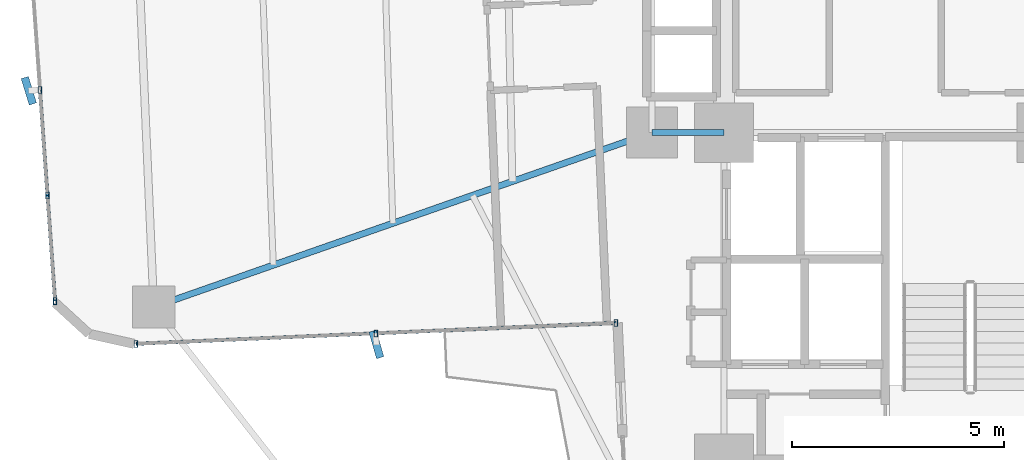
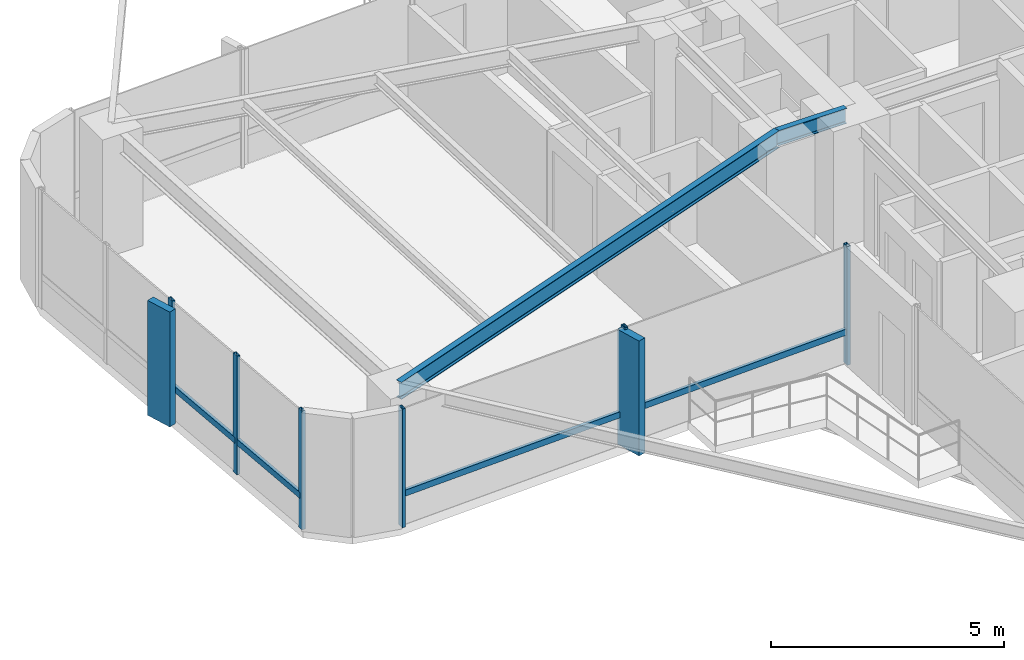
# One storey, part 8 of 26: 12 members, 2 beams, 2 elements without a shape of their own.
"""IFC4 building model written with IfcOpenShell, lengths in metres."""

import ifcopenshell
import ifcopenshell.guid

model = None  # the IFC model being written
_history = None  # IfcOwnerHistory: only IFC2X3 demands one
_inside = {}  # id of a spatial element -> (the spatial element, [elements in it])
_under = {}  # id of a project, library or spatial element -> (it, [spatial elements below it])
_declared = {}  # id of a project -> (the project, [libraries it declares])
_typed = {}  # id of a type object -> (the type object, [elements of that type])
_made_of = {}  # id of a material, layer set ... -> (it, [elements and type objects made of it])


def new_model(schema):
    """Start an empty IFC model of exactly this schema.

    Asked for "IFC4X3", IfcOpenShell would pick the latest addendum, in which some entities
    have other attributes; the version numbers below select the first issue.
    IFC2X3 requires an IfcOwnerHistory on every rooted entity: one is made here for all.
    """
    global model, _history
    if schema == "IFC4X3":
        model = ifcopenshell.file(schema_version=(4, 3, 0, 0))
    else:
        model = ifcopenshell.file(schema=schema)
    _inside.clear()
    _under.clear()
    _declared.clear()
    _typed.clear()
    _made_of.clear()
    _history = None
    if model.schema == "IFC2X3":
        org = make("IfcOrganization", Name="unknown")
        user = make(
            "IfcPersonAndOrganization",
            ThePerson=make("IfcPerson", FamilyName="unknown"),
            TheOrganization=org,
        )
        app = make(
            "IfcApplication",
            ApplicationDeveloper=org,
            Version="unknown",
            ApplicationFullName="unknown",
            ApplicationIdentifier="unknown",
        )
        _history = make(
            "IfcOwnerHistory",
            OwningUser=user,
            OwningApplication=app,
            ChangeAction="ADDED",
            CreationDate=0,
        )
    return model


def make(cls, **values):
    """One entity of the class cls with the attributes given. An attribute that is None is left unset."""
    return model.create_entity(
        cls, **{name: value for name, value in values.items() if value is not None}
    )


def rooted(cls, **values):
    """An entity with a GlobalId (a new one), such as an element, a storey or a relation."""
    return make(cls, GlobalId=ifcopenshell.guid.new(), OwnerHistory=_history, **values)


def si_unit(unit_type, name, prefix=None):
    """IfcSIUnit, for example si_unit("LENGTHUNIT", "METRE", prefix="MILLI")."""
    return make("IfcSIUnit", UnitType=unit_type, Prefix=prefix, Name=name)


def assignment(units):
    """IfcUnitAssignment: the units of a project."""
    return None if units is None else make("IfcUnitAssignment", Units=units)


def point(xyz):
    """IfcCartesianPoint."""
    return None if xyz is None else make("IfcCartesianPoint", Coordinates=xyz)


def direction(xyz):
    """IfcDirection."""
    return None if xyz is None else make("IfcDirection", DirectionRatios=xyz)


def frame(location, z_axis=None, x_axis=None):
    """IfcAxis2Placement3D, a coordinate frame: its origin and axes. An axis left out is left unset."""
    return make(
        "IfcAxis2Placement3D",
        Location=point(location),
        Axis=direction(z_axis),
        RefDirection=direction(x_axis),
    )


def frame_2d(location, x_axis=None):
    """IfcAxis2Placement2D, a coordinate frame in the plane: its origin and x axis."""
    return make(
        "IfcAxis2Placement2D", Location=point(location), RefDirection=direction(x_axis)
    )


def origin():
    """The frame at (0, 0, 0) with its axes left unset."""
    return frame((0.0, 0.0, 0.0))


def origin_2d():
    """The frame at (0, 0) in the plane with its x axis left unset."""
    return frame_2d((0.0, 0.0))


def place(relative_to, where):
    """IfcLocalPlacement: puts the frame where relative to a parent placement (None: the world)."""
    return make(
        "IfcLocalPlacement", PlacementRelTo=relative_to, RelativePlacement=where
    )


def context(
    kind, dimensions, precision=None, world=None, true_north=None, identifier=None
):
    """IfcGeometricRepresentationContext, for example the 3D "Model" context."""
    return make(
        "IfcGeometricRepresentationContext",
        ContextIdentifier=identifier,
        ContextType=kind,
        CoordinateSpaceDimension=dimensions,
        Precision=precision,
        WorldCoordinateSystem=world,
        TrueNorth=true_north,
    )


def subcontext(parent, identifier, kind, view, scale=None):
    """IfcGeometricRepresentationSubContext, for example "Body" below "Model"."""
    return make(
        "IfcGeometricRepresentationSubContext",
        ContextIdentifier=identifier,
        ContextType=kind,
        ParentContext=parent,
        TargetScale=scale,
        TargetView=view,
    )


def project(units=None, contexts=None):
    """IfcProject with its units and contexts."""
    return rooted(
        "IfcProject",
        Name="project",
        RepresentationContexts=contexts,
        UnitsInContext=assignment(units),
    )


def spatial(cls, under=None, at=None, **own):
    """A site, building, storey or space (cls), placed at a placement, below another one or the project."""
    s = rooted(cls, ObjectPlacement=at, **own)
    if under is not None:
        _under.setdefault(under.id(), (under, []))[1].append(s)
    return s


def profile(cls, at=None, kind="AREA", **sizes):
    """A parametric profile (cls). Its sizes go by their IFC names, for example OverallWidth=200.0."""
    return make(cls, ProfileType=kind, Position=at, **sizes)


def rectangle(**sizes):
    """IfcRectangleProfileDef."""
    return profile("IfcRectangleProfileDef", **sizes)


def hollow_rectangle(**sizes):
    """IfcRectangleHollowProfileDef."""
    return profile("IfcRectangleHollowProfileDef", **sizes)


def i_section(**sizes):
    """IfcIShapeProfileDef."""
    return profile("IfcIShapeProfileDef", **sizes)


def extrude(swept, where, along, depth):
    """IfcExtrudedAreaSolid: the profile swept, set in the frame where, extruded along a direction by depth."""
    return make(
        "IfcExtrudedAreaSolid",
        SweptArea=swept,
        Position=where,
        ExtrudedDirection=direction(along),
        Depth=depth,
    )


def shape(context_of_items, identifier, shape_type, items):
    """IfcShapeRepresentation: the items that make up one representation, for example the "Body"."""
    return make(
        "IfcShapeRepresentation",
        ContextOfItems=context_of_items,
        RepresentationIdentifier=identifier,
        RepresentationType=shape_type,
        Items=items,
    )


def source(mapping_origin, context_of_items, identifier, shape_type, items):
    """IfcRepresentationMap: a shape defined once, which mapped items show again and again."""
    return make(
        "IfcRepresentationMap",
        MappingOrigin=mapping_origin,
        MappedRepresentation=shape(context_of_items, identifier, shape_type, items),
    )


def transform(
    local_origin,
    x_axis=None,
    y_axis=None,
    z_axis=None,
    scale=None,
    scale2=None,
    scale3=None,
    uniform=True,
):
    """IfcCartesianTransformationOperator3D, or its non-uniform kind. x_axis, y_axis, z_axis: its Axis1, 2, 3."""
    if uniform:
        return make(
            "IfcCartesianTransformationOperator3D",
            Axis1=direction(x_axis),
            Axis2=direction(y_axis),
            LocalOrigin=point(local_origin),
            Scale=scale,
            Axis3=direction(z_axis),
        )
    return make(
        "IfcCartesianTransformationOperator3DnonUniform",
        Axis1=direction(x_axis),
        Axis2=direction(y_axis),
        LocalOrigin=point(local_origin),
        Scale=scale,
        Axis3=direction(z_axis),
        Scale2=scale2,
        Scale3=scale3,
    )


def mapped(mapping_source, mapping_target):
    """IfcMappedItem: shows the shape of a source again, moved by a transform."""
    return make(
        "IfcMappedItem", MappingSource=mapping_source, MappingTarget=mapping_target
    )


def material(Name=None, Category=None):
    """IfcMaterial."""
    return make("IfcMaterial", Name=Name, Category=Category)


def material_profile(
    of_material, cross_section, Name=None, Category=None, Priority=None
):
    """IfcMaterialProfile: a cross section and its material."""
    return make(
        "IfcMaterialProfile",
        Name=Name,
        Material=of_material,
        Profile=cross_section,
        Priority=Priority,
        Category=Category,
    )


def profile_set(profiles, Name=None, composite=None):
    """IfcMaterialProfileSet."""
    return make(
        "IfcMaterialProfileSet",
        Name=Name,
        MaterialProfiles=profiles,
        CompositeProfile=composite,
    )


def made_of(thing, what):
    """Note that an element or type object is made of a material, layer set ...; save() writes the relation."""
    if what is not None:
        _made_of.setdefault(what.id(), (what, []))[1].append(thing)
    return thing


def type_object(cls, material=None, **own):
    """A type object (cls), such as IfcWallType, which elements share."""
    return made_of(rooted(cls, **own), material)


def element(
    cls,
    number,
    at=None,
    inside=None,
    cuts=None,
    type_object=None,
    material=None,
    context=None,
    identifier="Body",
    shape_type=None,
    held_by="IfcProductDefinitionShape",
    body=None,
    shapes=None,
    **own,
):
    """One element of the class cls, such as IfcWall. Its Tag is "e" and its number.

    at: its placement. inside: the storey or other place that contains it. cuts: it is an
    opening in that element (IfcRelVoidsElement). A single representation is given by context,
    identifier, shape_type and body (its items); several are given by shapes. held_by: the class
    of the entity that holds the representations. save() writes the other relations.
    """
    e = rooted(cls, Tag="e%d" % number, ObjectPlacement=at, **own)
    if body is not None:
        shapes = [shape(context, identifier, shape_type, body)]
    if shapes is not None:
        e.Representation = make(held_by, Representations=shapes)
    if inside is not None:
        _inside.setdefault(inside.id(), (inside, []))[1].append(e)
    if cuts is not None:
        rooted(
            "IfcRelVoidsElement", RelatingBuildingElement=cuts, RelatedOpeningElement=e
        )
    if type_object is not None:
        _typed.setdefault(type_object.id(), (type_object, []))[1].append(e)
    return made_of(e, material)


def aggregate(whole, parts):
    """IfcRelAggregates: a whole, such as a stair, and the parts it consists of."""
    return rooted("IfcRelAggregates", RelatingObject=whole, RelatedObjects=parts)


def save(model, path):
    """Write the relations noted so far, then the file.

    IfcRelAggregates (storeys below a building ...), IfcRelContainedInSpatialStructure (elements
    in a storey), IfcRelDefinesByType, IfcRelAssociatesMaterial and IfcRelDeclares: one each for
    every whole, place, type object, material and project.
    """
    for whole, parts in _under.values():
        aggregate(whole, parts)
    for where, things in _inside.values():
        rooted(
            "IfcRelContainedInSpatialStructure",
            RelatedElements=things,
            RelatingStructure=where,
        )
    for kind, things in _typed.values():
        rooted("IfcRelDefinesByType", RelatedObjects=things, RelatingType=kind)
    for what, things in _made_of.values():
        rooted("IfcRelAssociatesMaterial", RelatedObjects=things, RelatingMaterial=what)
    for by, libraries in _declared.values():
        rooted("IfcRelDeclares", RelatingContext=by, RelatedDefinitions=libraries)
    model.write(path)


model = new_model("IFC4")

# Units and contexts
model_context = context("Model", 3, precision=1e-05, world=origin(), true_north=direction((0.0, 1.0)))
body_context = subcontext(model_context, "Body", "Model", "MODEL_VIEW")
ifc_project = project(units=[si_unit("LENGTHUNIT", "METRE"), si_unit("AREAUNIT", "SQUARE_METRE"), si_unit("VOLUMEUNIT", "CUBIC_METRE"), si_unit("PLANEANGLEUNIT", "RADIAN"), si_unit("MASSUNIT", "GRAM", prefix="KILO")], contexts=[model_context])

# Site, building, storey
site_placement = place(None, origin())
site = spatial("IfcSite", under=ifc_project, at=site_placement, CompositionType="ELEMENT")
building_placement = place(site_placement, origin())
building = spatial("IfcBuilding", under=site, at=building_placement, Name="Sahyath Konkavel Grand Hotel", CompositionType="ELEMENT")
storey_placement = place(building_placement, frame((0.0, 0.0, 93.550048828125)))
storey = spatial("IfcBuildingStorey", under=building, at=storey_placement, Name="L25", CompositionType="ELEMENT", Elevation=93.550048828125)

# Beams
ifc_material_1 = material(Name="Steel E350", Category="steel")
ifc_material_profile_1 = material_profile(ifc_material_1, i_section(OverallWidth=0.139892578125, OverallDepth=0.39990234375, WebThickness=0.0087890625, FlangeThickness=0.01611328125, FilletRadius=0.013916015625, at=origin_2d()), Name="ISMB 400")
ifc_profile_set_1 = profile_set([ifc_material_profile_1], Name="Steel E350")
beam_type_1 = type_object("IfcBeamType", Name="BM-ISMB400", PredefinedType="BEAM", material=ifc_profile_set_1)
shared_shape_1 = source(origin(), body_context, "Body", "SweptSolid", [
    extrude(i_section(OverallWidth=0.139892578125, OverallDepth=0.39990234375, WebThickness=0.0087890625, FlangeThickness=0.01611328125, FilletRadius=0.013916015625, at=origin_2d()), origin(), (0.0, 0.0, 1.0), 1.699951171875),
])
beam_1_placement = place(storey_placement, frame((-5.5, -2.39990234375, 2.909912109375), z_axis=(1.0, 0.0, 0.0), x_axis=(0.0, 1.0, 0.0)))
element("IfcBeam", 1, at=beam_1_placement, inside=storey, type_object=beam_type_1, Name="str:bm:L25:HB-SW", PredefinedType="BEAM", context=body_context, shape_type="MappedRepresentation", body=[
    mapped(shared_shape_1, transform((0.0, 0.0, 0.0), scale=1.0)),
])
ifc_material_profile_2 = material_profile(ifc_material_1, i_section(OverallWidth=0.14990234375, OverallDepth=0.449951171875, WebThickness=0.009521484375, FlangeThickness=0.017333984375, FilletRadius=0.014892578125, at=origin_2d()), Name="ISMB 450")
ifc_profile_set_2 = profile_set([ifc_material_profile_2], Name="Steel E350")
beam_type_2 = type_object("IfcBeamType", Name="BM-ISMB450", PredefinedType="BEAM", material=ifc_profile_set_2)
shared_shape_2 = source(origin(), body_context, "Body", "SweptSolid", [
    extrude(i_section(OverallWidth=0.14990234375, OverallDepth=0.449951171875, WebThickness=0.009521484375, FlangeThickness=0.017333984375, FilletRadius=0.014892578125, at=origin_2d()), origin(), (0.0, 0.0, 1.0), 12.430908203125),
])
beam_2_placement = place(storey_placement, frame((-5.5, -2.39990234375, 2.885009765625), z_axis=(-0.943819157235, -0.330462400941, 0.0), x_axis=(0.330462400941, -0.943819157235, 0.0)))
element("IfcBeam", 2, at=beam_2_placement, inside=storey, type_object=beam_type_2, Name="L25 Cruciform Radial Girder WB", PredefinedType="BEAM", context=body_context, shape_type="MappedRepresentation", body=[
    mapped(shared_shape_2, transform((0.0, 0.0, 0.0), scale=1.0)),
])

# Curtain wall, members
ifc_material_2 = material(Name="Anodised Bronze Aluminium & Low-E Glazing", Category="aluminium")
curtain_wall_type = type_object("IfcCurtainWallType", Name="CW-ZONE2", PredefinedType="NOTDEFINED", material=ifc_material_2)
curtain_wall_1_placement = place(storey_placement, origin())
curtain_wall_1 = element("IfcCurtainWall", 3, at=curtain_wall_1_placement, inside=storey, type_object=curtain_wall_type, Name="L25 Unitised Curtain Wall F20", PredefinedType="NOTDEFINED")
ifc_material_3 = material(Name="Anodised Bronze Aluminium", Category="aluminium")
ifc_material_profile_3 = material_profile(ifc_material_3, hollow_rectangle(XDim=0.080078125, YDim=0.159912109375, WallThickness=0.006103515625, at=origin_2d()), Name="RHS 160x80x6")
ifc_profile_set_3 = profile_set([ifc_material_profile_3], Name="Anodised Bronze Aluminium")
member_type_1 = type_object("IfcMemberType", Name="CW-MUL-160", PredefinedType="MULLION", material=ifc_profile_set_3)
shared_shape_3 = source(origin(), body_context, "Body", "SweptSolid", [
    extrude(hollow_rectangle(XDim=0.080078125, YDim=0.159912109375, WallThickness=0.006103515625, at=origin_2d()), origin(), (0.0, 0.0, 1.0), 3.10986328125),
])
member_1_placement = place(storey_placement, frame((-19.91748046875, -1.39501953125, 0.0), z_axis=(0.0, 0.0, 1.0), x_axis=(1.0, 0.0, 0.0)))
member_1 = element("IfcMember", 4, at=member_1_placement, type_object=member_type_1, Name="L25 Curtain Wall Mullion F20-2", PredefinedType="MULLION", context=body_context, shape_type="MappedRepresentation", body=[
    mapped(shared_shape_3, transform((0.0, 0.0, 0.0), scale=1.0)),
])
member_2_placement = place(storey_placement, frame((-19.739013671875, -3.882080078125, 0.0), z_axis=(0.0, 0.0, 1.0), x_axis=(1.0, 0.0, 0.0)))
member_2 = element("IfcMember", 5, at=member_2_placement, type_object=member_type_1, Name="L25 Curtain Wall Mullion F20-3", PredefinedType="MULLION", context=body_context, shape_type="MappedRepresentation", body=[
    mapped(shared_shape_3, transform((0.0, 0.0, 0.0), scale=1.0)),
])
member_3_placement = place(storey_placement, frame((-19.560546875, -6.369384765625, 0.0), z_axis=(0.0, 0.0, 1.0), x_axis=(1.0, 0.0, 0.0)))
member_3 = element("IfcMember", 6, at=member_3_placement, type_object=member_type_1, Name="L25 Curtain Wall Mullion F20-4", PredefinedType="MULLION", context=body_context, shape_type="MappedRepresentation", body=[
    mapped(shared_shape_3, transform((0.0, 0.0, 0.0), scale=1.0)),
])

curtain_wall_2_placement = place(storey_placement, origin())
curtain_wall_2 = element("IfcCurtainWall", 7, at=curtain_wall_2_placement, inside=storey, type_object=curtain_wall_type, Name="L25 Unitised Curtain Wall F23", PredefinedType="NOTDEFINED")
member_4_placement = place(storey_placement, frame((-17.655029296875, -7.377197265625, 0.0), z_axis=(0.0, 0.0, 1.0), x_axis=(1.0, 0.0, 0.0)))
member_4 = element("IfcMember", 8, at=member_4_placement, type_object=member_type_1, Name="L25 Curtain Wall Mullion F23-0", PredefinedType="MULLION", context=body_context, shape_type="MappedRepresentation", body=[
    mapped(shared_shape_3, transform((0.0, 0.0, 0.0), scale=1.0)),
])
member_5_placement = place(storey_placement, frame((-12.00048828125, -7.13037109375, 0.0), z_axis=(0.0, 0.0, 1.0), x_axis=(1.0, 0.0, 0.0)))
member_5 = element("IfcMember", 9, at=member_5_placement, type_object=member_type_1, Name="L25 Curtain Wall Mullion F23-1", PredefinedType="MULLION", context=body_context, shape_type="MappedRepresentation", body=[
    mapped(shared_shape_3, transform((0.0, 0.0, 0.0), scale=1.0)),
])
member_6_placement = place(storey_placement, frame((-6.345703125, -6.88330078125, 0.0), z_axis=(0.0, 0.0, 1.0), x_axis=(1.0, 0.0, 0.0)))
member_6 = element("IfcMember", 10, at=member_6_placement, type_object=member_type_1, Name="L25 Curtain Wall Mullion F23-2", PredefinedType="MULLION", context=body_context, shape_type="MappedRepresentation", body=[
    mapped(shared_shape_3, transform((0.0, 0.0, 0.0), scale=1.0)),
])

# Member
ifc_material_4 = material(Name="Warm Buff Sandstone Cladding on Concrete C50/60", Category="masonry")
ifc_material_profile_4 = material_profile(ifc_material_4, rectangle(XDim=0.179931640625, YDim=0.64990234375, at=origin_2d()), Name="FIN 180x650")
ifc_profile_set_4 = profile_set([ifc_material_profile_4], Name="Warm Buff Sandstone Cladding on Concrete C50/60")
member_type_2 = type_object("IfcMemberType", Name="FIN-SANDSTONE-650", PredefinedType="MULLION", material=ifc_profile_set_4)
shared_shape_4 = source(origin(), body_context, "Body", "SweptSolid", [
    extrude(rectangle(XDim=0.179931640625, YDim=0.64990234375, at=origin_2d()), origin(), (0.0, 0.0, 1.0), 3.010009765625),
])
member_7_placement = place(storey_placement, frame((-20.1767578125, -1.413818359375, 0.050048828125), z_axis=(0.0, 0.0, 1.0), x_axis=(0.955690317134, 0.294373942013, 0.0)))
member_7 = element("IfcMember", 11, at=member_7_placement, type_object=member_type_2, Name="L25 Sandstone Vertical Solar Fin FIN F20-2", PredefinedType="MULLION", context=body_context, shape_type="MappedRepresentation", body=[
    mapped(shared_shape_4, transform((0.0, 0.0, 0.0), scale=1.0)),
])

member_8_placement = place(storey_placement, frame((-11.989013671875, -7.39013671875, 0.050048828125), z_axis=(0.0, 0.0, 1.0), x_axis=(0.961069030524, 0.276308375854, 0.0)))
member_8 = element("IfcMember", 12, at=member_8_placement, type_object=member_type_2, Name="L25 Sandstone Vertical Solar Fin FIN F23-1", PredefinedType="MULLION", context=body_context, shape_type="MappedRepresentation", body=[
    mapped(shared_shape_4, transform((0.0, 0.0, 0.0), scale=1.0)),
])

ifc_material_profile_5 = material_profile(ifc_material_3, hollow_rectangle(XDim=0.080078125, YDim=0.159912109375, WallThickness=0.006103515625, at=origin_2d()), Name="RHS 160x80x6")
ifc_profile_set_5 = profile_set([ifc_material_profile_5], Name="Anodised Bronze Aluminium")
member_type_3 = type_object("IfcMemberType", Name="CW-TRN-160", PredefinedType="USERDEFINED", material=ifc_profile_set_5)
shared_shape_5 = source(origin(), body_context, "Body", "SweptSolid", [
    extrude(hollow_rectangle(XDim=0.080078125, YDim=0.159912109375, WallThickness=0.006103515625, at=origin_2d()), origin(), (0.0, 0.0, 1.0), 2.493408203125),
])
member_9_placement = place(storey_placement, frame((-19.91748046875, -1.39501953125, 0.849853515625), z_axis=(0.071574084062, -0.997435286367, 0.0), x_axis=(0.997435286367, 0.071574084062, 0.0)))
member_9 = element("IfcMember", 13, at=member_9_placement, type_object=member_type_3, Name="L25 Curtain Wall Transom F20-2-spandrel", ObjectType="TRANSOM", PredefinedType="USERDEFINED", context=body_context, shape_type="MappedRepresentation", body=[
    mapped(shared_shape_5, transform((0.0, 0.0, 0.0), scale=1.0)),
])

shared_shape_6 = source(origin(), body_context, "Body", "SweptSolid", [
    extrude(hollow_rectangle(XDim=0.080078125, YDim=0.159912109375, WallThickness=0.006103515625, at=origin_2d()), origin(), (0.0, 0.0, 1.0), 2.49365234375),
])
member_10_placement = place(storey_placement, frame((-19.739013671875, -3.882080078125, 0.849853515625), z_axis=(0.071567094714, -0.997435787885, 0.0), x_axis=(0.997435787885, 0.071567094714, 0.0)))
member_10 = element("IfcMember", 14, at=member_10_placement, type_object=member_type_3, Name="L25 Curtain Wall Transom F20-3-spandrel", ObjectType="TRANSOM", PredefinedType="USERDEFINED", context=body_context, shape_type="MappedRepresentation", body=[
    mapped(shared_shape_6, transform((0.0, 0.0, 0.0), scale=1.0)),
])

aggregate(curtain_wall_1, [member_1, member_7, member_2, member_3, member_9, member_10])

shared_shape_7 = source(origin(), body_context, "Body", "SweptSolid", [
    extrude(hollow_rectangle(XDim=0.080078125, YDim=0.159912109375, WallThickness=0.006103515625, at=origin_2d()), origin(), (0.0, 0.0, 1.0), 5.659912109375),
])
member_11_placement = place(storey_placement, frame((-17.655029296875, -7.377197265625, 0.849853515625), z_axis=(0.999048655935, 0.043609437898, 0.0), x_axis=(-0.043609437898, 0.999048655935, 0.0)))
member_11 = element("IfcMember", 15, at=member_11_placement, type_object=member_type_3, Name="L25 Curtain Wall Transom F23-0-spandrel", ObjectType="TRANSOM", PredefinedType="USERDEFINED", context=body_context, shape_type="MappedRepresentation", body=[
    mapped(shared_shape_7, transform((0.0, 0.0, 0.0), scale=1.0)),
])

shared_shape_8 = source(origin(), body_context, "Body", "SweptSolid", [
    extrude(hollow_rectangle(XDim=0.080078125, YDim=0.159912109375, WallThickness=0.006103515625, at=origin_2d()), origin(), (0.0, 0.0, 1.0), 5.66015625),
])
member_12_placement = place(storey_placement, frame((-12.00048828125, -7.13037109375, 0.849853515625), z_axis=(0.9990468579, 0.043650609628, 0.0), x_axis=(-0.043650609628, 0.9990468579, 0.0)))
member_12 = element("IfcMember", 16, at=member_12_placement, type_object=member_type_3, Name="L25 Curtain Wall Transom F23-1-spandrel", ObjectType="TRANSOM", PredefinedType="USERDEFINED", context=body_context, shape_type="MappedRepresentation", body=[
    mapped(shared_shape_8, transform((0.0, 0.0, 0.0), scale=1.0)),
])

aggregate(curtain_wall_2, [member_4, member_5, member_8, member_6, member_11, member_12])

save(model, "model.ifc")
